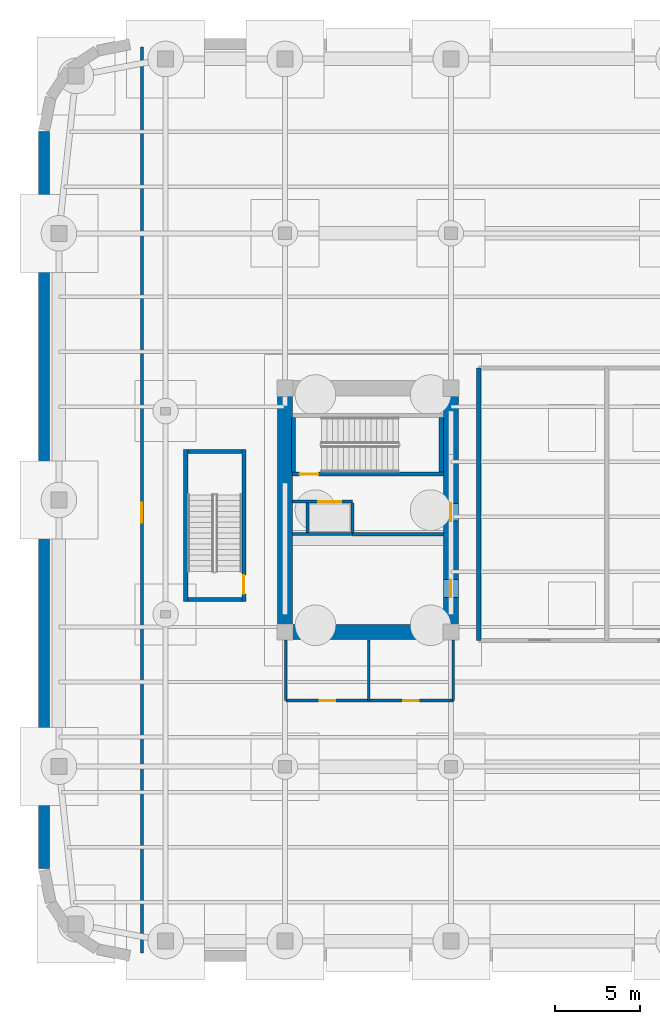
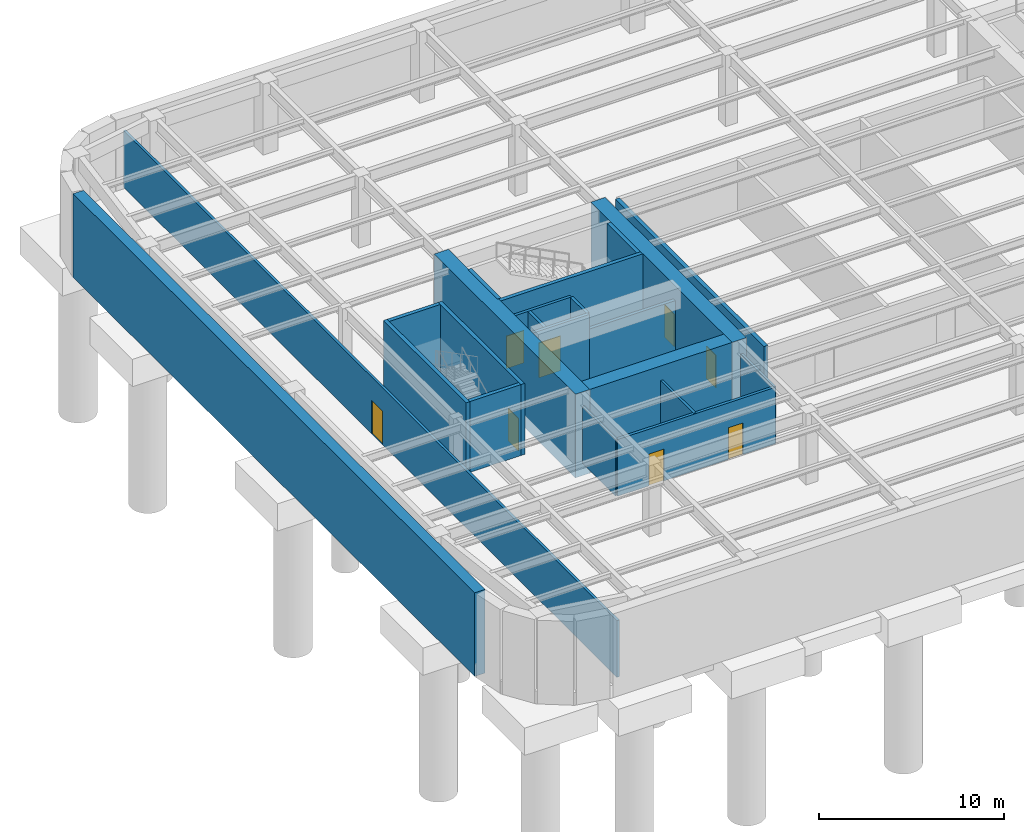
# One storey, part 5 of 14: 22 walls, 8 doors, 8 openings.
"""IFC4 building model written with IfcOpenShell, lengths in metres."""

from ifc_helpers import new_model, si_unit, direction, frame, frame_2d, origin, place, context, subcontext, project, spatial, rectangle, extrude, material, layer, layer_set, type_object, element, fill, save


model = new_model("IFC4")

# Units and contexts
model_context = context("Model", 3, precision=1e-05, world=origin(), true_north=direction((0.0, 1.0)))
body_context = subcontext(model_context, "Body", "Model", "MODEL_VIEW")
ifc_project = project(units=[si_unit("LENGTHUNIT", "METRE"), si_unit("AREAUNIT", "SQUARE_METRE"), si_unit("VOLUMEUNIT", "CUBIC_METRE"), si_unit("PLANEANGLEUNIT", "RADIAN"), si_unit("MASSUNIT", "GRAM", prefix="KILO")], contexts=[model_context])

# Site, building, storey
site_placement = place(None, origin())
site = spatial("IfcSite", under=ifc_project, at=site_placement, CompositionType="ELEMENT")
building_placement = place(site_placement, origin())
building = spatial("IfcBuilding", under=site, at=building_placement, Name="Kolvaren Arena Tower", CompositionType="ELEMENT")
storey_placement = place(building_placement, frame((0.0, 0.0, -10.0)))
storey = spatial("IfcBuildingStorey", under=building, at=storey_placement, Name="B02", CompositionType="ELEMENT", Elevation=-10.0)

# Wall, opening, door
ifc_material_1 = material(Name="Gypsum board acoustic assembly", Category="gypsum")
ifc_layer_1 = layer(ifc_material_1, 0.159912109375)
ifc_layer_set_1 = layer_set([ifc_layer_1], Name="Gypsum board acoustic assembly")
wall_type_1 = type_object("IfcWallType", Name="CORR-160", PredefinedType="PARTITIONING", material=ifc_layer_set_1)
wall_1_placement = place(storey_placement, frame((6.10009765625, 0.5, 0.0), z_axis=(0.0, 0.0, 1.0), x_axis=(0.0, 1.0, 0.0)))
wall_1 = element("IfcWall", 1, at=wall_1_placement, inside=storey, type_object=wall_type_1, Name="Interior Partition Wall (B02)", PredefinedType="PARTITIONING", context=body_context, shape_type="SweptSolid", body=[
    extrude(rectangle(XDim=53.5, YDim=0.159912109375, at=frame_2d((26.75, 0.0))), origin(), (0.0, 0.0, 1.0), 3.75),
])
opening_1_placement = place(wall_1_placement, frame((25.39990234375, 0.0, 0.0)))
opening_1 = element("IfcOpeningElement", 2, at=opening_1_placement, cuts=wall_1, Name="Opening D08", PredefinedType="OPENING", context=body_context, shape_type="SweptSolid", body=[
    extrude(rectangle(XDim=1.199951171875, YDim=2.199951171875, at=frame_2d((0.60009765625, 1.10009765625))), frame((0.0, 0.08984375, 0.0), z_axis=(0.0, -1.0, 0.0), x_axis=(1.0, 0.0, 0.0)), (0.0, 0.0, 1.0), 0.179931640625),
])
ifc_material_2 = material(Name="Fire-rated steel plant room door", Category="steel")
door_type_1 = type_object("IfcDoorType", Name="DOOR-PL-120", OperationType="NOTDEFINED", PredefinedType="DOOR", material=ifc_material_2)
door_1_placement = place(opening_1_placement, origin())
door_1 = element("IfcDoor", 3, at=door_1_placement, inside=storey, type_object=door_type_1, Name="Bicycle Storage Door (B02)", OperationType="SINGLE_SWING_RIGHT", OverallHeight=2.199951171875, OverallWidth=1.199951171875, PredefinedType="DOOR", context=body_context, shape_type="SweptSolid", body=[
    extrude(rectangle(XDim=1.199951171875, YDim=2.199951171875, at=frame_2d((0.60009765625, 1.10009765625))), frame((0.0, 0.02490234375, 0.0), z_axis=(0.0, -1.0, 0.0), x_axis=(1.0, 0.0, 0.0)), (0.0, 0.0, 1.0), 0.050048828125),
])
fill(opening_1, door_1)

# Wall
ifc_material_3 = material(Name="Concrete 80 MPa", Category="concrete")
ifc_layer_2 = layer(ifc_material_3, 0.89990234375)
ifc_layer_set_2 = layer_set([ifc_layer_2], Name="Concrete 80 MPa")
wall_type_2 = type_object("IfcWallType", Name="CWALL-900", PredefinedType="SHEAR", material=ifc_layer_set_2)
wall_2_placement = place(storey_placement, frame((14.550048828125, 19.0, -0.85009765625), z_axis=(0.0, 0.0, 1.0), x_axis=(0.0, 1.0, 0.0)))
element("IfcWall", 4, at=wall_2_placement, inside=storey, type_object=wall_type_2, Name="Core Shear Wall WC-WEST (B02)", PredefinedType="SHEAR", context=body_context, shape_type="SweptSolid", body=[
    extrude(rectangle(XDim=15.300048828125, YDim=0.89990234375, at=frame_2d((7.64990234375, 0.0))), origin(), (0.0, 0.0, 1.0), 5.5400390625),
])

# Wall, openings, doors
wall_3_placement = place(storey_placement, frame((24.35009765625, 19.0, -0.85009765625), z_axis=(0.0, 0.0, 1.0), x_axis=(0.0, 1.0, 0.0)))
wall_3 = element("IfcWall", 5, at=wall_3_placement, inside=storey, type_object=wall_type_2, Name="Core Shear Wall WC-EAST (B02)", PredefinedType="SHEAR", context=body_context, shape_type="SweptSolid", body=[
    extrude(rectangle(XDim=15.300048828125, YDim=0.89990234375, at=frame_2d((7.64990234375, 0.0))), origin(), (0.0, 0.0, 1.0), 5.5400390625),
])
opening_2_placement = place(wall_3_placement, frame((2.5, 0.0, 0.85009765625)))
opening_2 = element("IfcOpeningElement", 6, at=opening_2_placement, cuts=wall_3, Name="Opening D04", PredefinedType="OPENING", context=body_context, shape_type="SweptSolid", body=[
    extrude(rectangle(XDim=1.050048828125, YDim=2.14990234375, at=frame_2d((0.52490234375, 1.074951171875))), frame((0.0, 0.4599609375, 0.0), z_axis=(0.0, -1.0, 0.0), x_axis=(1.0, 0.0, 0.0)), (0.0, 0.0, 1.0), 0.919921875),
])
opening_3_placement = place(wall_3_placement, frame((7.0, 0.0, 0.85009765625)))
opening_3 = element("IfcOpeningElement", 7, at=opening_3_placement, cuts=wall_3, Name="Opening D04", PredefinedType="OPENING", context=body_context, shape_type="SweptSolid", body=[
    extrude(rectangle(XDim=1.050048828125, YDim=2.14990234375, at=frame_2d((0.52490234375, 1.074951171875))), frame((0.0, 0.4599609375, 0.0), z_axis=(0.0, -1.0, 0.0), x_axis=(1.0, 0.0, 0.0)), (0.0, 0.0, 1.0), 0.919921875),
])
ifc_material_4 = material(Name="Fire-rated steel lobby door", Category="steel")
door_type_2 = type_object("IfcDoorType", Name="DOOR-FF-105", OperationType="NOTDEFINED", PredefinedType="DOOR", material=ifc_material_4)
door_2_placement = place(opening_2_placement, origin())
door_2 = element("IfcDoor", 8, at=door_2_placement, inside=storey, type_object=door_type_2, Name="West Lift Lobby Fire Door (B02)", OperationType="SINGLE_SWING_LEFT", OverallHeight=2.14990234375, OverallWidth=1.050048828125, PredefinedType="DOOR", context=body_context, shape_type="SweptSolid", body=[
    extrude(rectangle(XDim=1.050048828125, YDim=2.14990234375, at=frame_2d((0.52490234375, 1.074951171875))), frame((0.0, 0.02490234375, 0.0), z_axis=(0.0, -1.0, 0.0), x_axis=(1.0, 0.0, 0.0)), (0.0, 0.0, 1.0), 0.050048828125),
])
fill(opening_2, door_2)
door_3_placement = place(opening_3_placement, origin())
door_3 = element("IfcDoor", 9, at=door_3_placement, inside=storey, type_object=door_type_2, Name="West Firefighter Vestibule Door (B02)", OperationType="SINGLE_SWING_RIGHT", OverallHeight=2.14990234375, OverallWidth=1.050048828125, PredefinedType="DOOR", context=body_context, shape_type="SweptSolid", body=[
    extrude(rectangle(XDim=1.050048828125, YDim=2.14990234375, at=frame_2d((0.52490234375, 1.074951171875))), frame((0.0, 0.02490234375, 0.0), z_axis=(0.0, -1.0, 0.0), x_axis=(1.0, 0.0, 0.0)), (0.0, 0.0, 1.0), 0.050048828125),
])
fill(opening_3, door_3)

# Walls
wall_4_placement = place(storey_placement, frame((15.0, 19.449951171875, -0.85009765625), z_axis=(0.0, 0.0, 1.0), x_axis=(1.0, 0.0, 0.0)))
element("IfcWall", 10, at=wall_4_placement, inside=storey, type_object=wall_type_2, Name="Core Shear Wall WC-SOUTH (B02)", PredefinedType="SHEAR", context=body_context, shape_type="SweptSolid", body=[
    extrude(rectangle(XDim=8.89990234375, YDim=0.89990234375, at=frame_2d((4.449951171875, 0.0))), origin(), (0.0, 0.0, 1.0), 5.5400390625),
])
ifc_material_5 = material(Name="Concrete 40 MPa", Category="concrete")
ifc_layer_3 = layer(ifc_material_5, 0.199951171875)
ifc_layer_set_3 = layer_set([ifc_layer_3], Name="Concrete 40 MPa")
wall_type_3 = type_object("IfcWallType", Name="LOBBY-200", PredefinedType="SOLIDWALL", material=ifc_layer_set_3)
wall_5_placement = place(storey_placement, frame((18.530029296875, 25.219970703125, 0.0), z_axis=(0.0, 0.0, 1.0), x_axis=(1.0, 0.0, 0.0)))
element("IfcWall", 11, at=wall_5_placement, inside=storey, type_object=wall_type_3, Name="Core Shaft Wall (B02)", PredefinedType="SOLIDWALL", context=body_context, shape_type="SweptSolid", body=[
    extrude(rectangle(XDim=5.369873046875, YDim=0.199951171875, at=frame_2d((2.68505859375, 0.0))), origin(), (0.0, 0.0, 1.0), 3.75),
])
ifc_material_6 = material(Name="Concrete 50 MPa", Category="concrete")
ifc_layer_4 = layer(ifc_material_6, 0.64990234375)
ifc_layer_set_4 = layer_set([ifc_layer_4], Name="Concrete 50 MPa")
wall_type_4 = type_object("IfcWallType", Name="RWALL-650", PredefinedType="USERDEFINED", material=ifc_layer_set_4)
wall_6_placement = place(storey_placement, frame((0.324951171875, 5.485107421875, -0.85009765625), z_axis=(0.0, 0.0, 1.0), x_axis=(0.0, 1.0, 0.0)))
element("IfcWall", 12, at=wall_6_placement, inside=storey, type_object=wall_type_4, Name="Basement Perimeter Retaining Wall (B02)", ObjectType="RETAININGWALL", PredefinedType="USERDEFINED", context=body_context, shape_type="SweptSolid", body=[
    extrude(rectangle(XDim=43.52978515625, YDim=0.64990234375, at=frame_2d((21.764892578125, 0.0))), origin(), (0.0, 0.0, 1.0), 5.5400390625),
])

# Wall, opening, door
ifc_material_7 = material(Name="Concrete 45 MPa", Category="concrete")
ifc_layer_5 = layer(ifc_material_7, 0.25)
ifc_layer_set_5 = layer_set([ifc_layer_5], Name="Concrete 45 MPa")
wall_type_5 = type_object("IfcWallType", Name="SHAFT-250", PredefinedType="SOLIDWALL", material=ifc_layer_set_5)
wall_7_placement = place(storey_placement, frame((12.1201171875, 30.239990234375, 0.0), z_axis=(0.0, 0.0, 1.0), x_axis=(0.0, -1.0, 0.0)))
wall_7 = element("IfcWall", 13, at=wall_7_placement, inside=storey, type_object=wall_type_5, Name="Stair ST-B1 Rated Enclosure Wall (B02)", PredefinedType="SOLIDWALL", context=body_context, shape_type="SweptSolid", body=[
    extrude(rectangle(XDim=8.97998046875, YDim=0.239990234375, at=frame_2d((4.489990234375, 0.0))), origin(), (0.0, 0.0, 1.0), 4.68994140625),
])
opening_4_placement = place(wall_7_placement, frame((7.429931640625, 0.0, 0.0)))
opening_4 = element("IfcOpeningElement", 14, at=opening_4_placement, cuts=wall_7, Name="Opening D03", PredefinedType="OPENING", context=body_context, shape_type="SweptSolid", body=[
    extrude(rectangle(XDim=1.10009765625, YDim=2.14990234375, at=frame_2d((0.550048828125, 1.074951171875))), frame((0.0, 0.1298828125, 0.0), z_axis=(0.0, -1.0, 0.0), x_axis=(1.0, 0.0, 0.0)), (0.0, 0.0, 1.0), 0.260009765625),
])
ifc_material_8 = material(Name="Fire-rated steel exit stair door", Category="steel")
door_type_3 = type_object("IfcDoorType", Name="DOOR-ST-110", OperationType="NOTDEFINED", PredefinedType="DOOR", material=ifc_material_8)
door_4_placement = place(opening_4_placement, origin())
door_4 = element("IfcDoor", 15, at=door_4_placement, inside=storey, type_object=door_type_3, Name="Exit Stair ST-B1 Fire Door (B02)", OperationType="SINGLE_SWING_LEFT", OverallHeight=2.14990234375, OverallWidth=1.10009765625, PredefinedType="DOOR", context=body_context, shape_type="SweptSolid", body=[
    extrude(rectangle(XDim=1.10009765625, YDim=2.14990234375, at=frame_2d((0.550048828125, 1.074951171875))), frame((0.0, 0.02490234375, 0.0), z_axis=(0.0, -1.0, 0.0), x_axis=(1.0, 0.0, 0.0)), (0.0, 0.0, 1.0), 0.050048828125),
])
fill(opening_4, door_4)

# Walls
wall_8_placement = place(storey_placement, frame((8.68994140625, 21.260009765625, 0.0), z_axis=(0.0, 0.0, 1.0), x_axis=(0.0, 1.0, 0.0)))
element("IfcWall", 16, at=wall_8_placement, inside=storey, type_object=wall_type_5, Name="Stair ST-B1 Rear Shaft Wall (B02)", PredefinedType="SOLIDWALL", context=body_context, shape_type="SweptSolid", body=[
    extrude(rectangle(XDim=8.97998046875, YDim=0.239990234375, at=frame_2d((4.489990234375, 0.0))), origin(), (0.0, 0.0, 1.0), 4.68994140625),
])
for number, where, z_axis, x_axis, name in (
    (17, (8.81005859375, 21.3798828125, 0.0), (0.0, 0.0, 1.0), (1.0, 0.0, 0.0), "Stair ST-B1 South Shaft Wall (B02)"),
    (18, (8.81005859375, 30.1201171875, 0.0), (0.0, 0.0, 1.0), (1.0, 0.0, 0.0), "Stair ST-B1 North Shaft Wall (B02)"),
):
    element("IfcWall", number, at=place(storey_placement, frame(where, z_axis=z_axis, x_axis=x_axis)), inside=storey, type_object=wall_type_5, Name=name, PredefinedType="SOLIDWALL", context=body_context, shape_type="SweptSolid", body=[
        extrude(rectangle(XDim=3.18994140625, YDim=0.239990234375, at=frame_2d((1.594970703125, 0.0))), origin(), (0.0, 0.0, 1.0), 4.68994140625),
    ])

# Wall, opening, door
wall_9_placement = place(storey_placement, frame((23.89990234375, 28.780029296875, 0.0), z_axis=(0.0, 0.0, 1.0), x_axis=(-1.0, 0.0, 0.0)))
wall_9 = element("IfcWall", 19, at=wall_9_placement, inside=storey, type_object=wall_type_5, Name="Core Shaft Wall (B02)", PredefinedType="SOLIDWALL", context=body_context, shape_type="SweptSolid", body=[
    extrude(rectangle(XDim=8.89990234375, YDim=0.239990234375, at=frame_2d((4.449951171875, 0.0))), origin(), (0.0, 0.0, 1.0), 4.68994140625),
])
opening_5_placement = place(wall_9_placement, frame((7.3798828125, 0.0, 0.0)))
opening_5 = element("IfcOpeningElement", 20, at=opening_5_placement, cuts=wall_9, Name="Opening D03", PredefinedType="OPENING", context=body_context, shape_type="SweptSolid", body=[
    extrude(rectangle(XDim=1.10009765625, YDim=2.14990234375, at=frame_2d((0.550048828125, 1.074951171875))), frame((0.0, 0.1298828125, 0.0), z_axis=(0.0, -1.0, 0.0), x_axis=(1.0, 0.0, 0.0)), (0.0, 0.0, 1.0), 0.260009765625),
])
door_5_placement = place(opening_5_placement, origin())
door_5 = element("IfcDoor", 21, at=door_5_placement, inside=storey, type_object=door_type_3, Name="Stair ST-W1 Fire Door (B02)", OperationType="SINGLE_SWING_RIGHT", OverallHeight=2.14990234375, OverallWidth=1.10009765625, PredefinedType="DOOR", context=body_context, shape_type="SweptSolid", body=[
    extrude(rectangle(XDim=1.10009765625, YDim=2.14990234375, at=frame_2d((0.550048828125, 1.074951171875))), frame((0.0, 0.02490234375, 0.0), z_axis=(0.0, -1.0, 0.0), x_axis=(1.0, 0.0, 0.0)), (0.0, 0.0, 1.0), 0.050048828125),
])
fill(opening_5, door_5)

# Walls
for number, where, z_axis, x_axis, name in (
    (22, (15.06005859375, 28.89990234375, 0.0), (0.0, 0.0, 1.0), (0.0, 1.0, 0.0), "Core Shaft Wall (B02)"),
    (23, (23.780029296875, 28.89990234375, 0.0), (0.0, 0.0, 1.0), (0.0, 1.0, 0.0), "Core Shaft Wall (B02)"),
):
    element("IfcWall", number, at=place(storey_placement, frame(where, z_axis=z_axis, x_axis=x_axis)), inside=storey, type_object=wall_type_5, Name=name, PredefinedType="SOLIDWALL", context=body_context, shape_type="SweptSolid", body=[
        extrude(rectangle(XDim=3.22998046875, YDim=0.239990234375, at=frame_2d((1.614990234375, 0.0))), origin(), (0.0, 0.0, 1.0), 4.68994140625),
    ])

# Wall, opening, door
wall_10_placement = place(storey_placement, frame((15.0, 27.155029296875, 0.0), z_axis=(0.0, 0.0, 1.0), x_axis=(1.0, 0.0, 0.0)))
wall_10 = element("IfcWall", 24, at=wall_10_placement, inside=storey, type_object=wall_type_5, Name="Core Shaft Wall (B02)", PredefinedType="SOLIDWALL", context=body_context, shape_type="SweptSolid", body=[
    extrude(rectangle(XDim=3.530029296875, YDim=0.179931640625, at=frame_2d((1.76513671875, 0.0))), origin(), (0.0, 0.0, 1.0), 4.68994140625),
])
opening_6_placement = place(wall_10_placement, frame((1.52490234375, 0.0, 0.0)))
opening_6 = element("IfcOpeningElement", 25, at=opening_6_placement, cuts=wall_10, Name="Opening LD2", PredefinedType="OPENING", context=body_context, shape_type="SweptSolid", body=[
    extrude(rectangle(XDim=1.35009765625, YDim=2.300048828125, at=frame_2d((0.675048828125, 1.14990234375))), frame((0.0, 0.099853515625, 0.0), z_axis=(0.0, -1.0, 0.0), x_axis=(1.0, 0.0, 0.0)), (0.0, 0.0, 1.0), 0.199951171875),
])
ifc_material_9 = material(Name="Stainless steel firefighter lift landing door", Category="steel")
door_type_4 = type_object("IfcDoorType", Name="DOOR-LD-135", OperationType="DOUBLE_DOOR_SLIDING", PredefinedType="DOOR", material=ifc_material_9)
door_6_placement = place(opening_6_placement, origin())
door_6 = element("IfcDoor", 26, at=door_6_placement, inside=storey, type_object=door_type_4, Name="Firefighter Lift FF-W1 Landing Door (B02)", OperationType="DOUBLE_DOOR_SLIDING", OverallHeight=2.300048828125, OverallWidth=1.35009765625, PredefinedType="DOOR", context=body_context, shape_type="SweptSolid", body=[
    extrude(rectangle(XDim=1.35009765625, YDim=2.300048828125, at=frame_2d((0.675048828125, 1.14990234375))), frame((0.0, 0.02490234375, 0.0), z_axis=(0.0, -1.0, 0.0), x_axis=(1.0, 0.0, 0.0)), (0.0, 0.0, 1.0), 0.050048828125),
])
fill(opening_6, door_6)

# Walls
wall_11_placement = place(storey_placement, frame((15.0, 25.2451171875, 0.0), z_axis=(0.0, 0.0, 1.0), x_axis=(1.0, 0.0, 0.0)))
element("IfcWall", 27, at=wall_11_placement, inside=storey, type_object=wall_type_5, Name="Core Shaft Wall (B02)", PredefinedType="SOLIDWALL", context=body_context, shape_type="SweptSolid", body=[
    extrude(rectangle(XDim=3.530029296875, YDim=0.179931640625, at=frame_2d((1.76513671875, 0.0))), origin(), (0.0, 0.0, 1.0), 4.68994140625),
])
for number, where, z_axis, x_axis, name in (
    (28, (15.8701171875, 25.3349609375, 0.0), (0.0, 0.0, 1.0), (0.0, 1.0, 0.0), "Core Shaft Wall (B02)"),
    (29, (18.530029296875, 25.3349609375, 0.0), (0.0, 0.0, 1.0), (0.0, 1.0, 0.0), "Core Shaft Wall (B02)"),
):
    element("IfcWall", number, at=place(storey_placement, frame(where, z_axis=z_axis, x_axis=x_axis)), inside=storey, type_object=wall_type_5, Name=name, PredefinedType="SOLIDWALL", context=body_context, shape_type="SweptSolid", body=[
        extrude(rectangle(XDim=1.72998046875, YDim=0.179931640625, at=frame_2d((0.864990234375, 0.0))), origin(), (0.0, 0.0, 1.0), 4.68994140625),
    ])
wall_12_placement = place(storey_placement, frame((26.0, 18.949951171875, 0.0), z_axis=(0.0, 0.0, 1.0), x_axis=(0.0, 1.0, 0.0)))
element("IfcWall", 30, at=wall_12_placement, inside=storey, type_object=wall_type_5, Name="Interior Partition Wall (B02)", PredefinedType="SOLIDWALL", context=body_context, shape_type="SweptSolid", body=[
    extrude(rectangle(XDim=16.10009765625, YDim=0.25, at=frame_2d((8.050048828125, 0.0))), origin(), (0.0, 0.0, 1.0), 3.75),
])
ifc_material_10 = material(Name="Moisture-resistant gypsum assembly", Category="gypsum")
ifc_layer_6 = layer(ifc_material_10, 0.14990234375)
ifc_layer_set_6 = layer_set([ifc_layer_6], Name="Moisture-resistant gypsum assembly")
wall_type_6 = type_object("IfcWallType", Name="WETW-150", PredefinedType="PARTITIONING", material=ifc_layer_set_6)
wall_13_placement = place(storey_placement, frame((19.5, 15.39990234375, 0.0), z_axis=(0.0, 0.0, 1.0), x_axis=(0.0, 1.0, 0.0)))
element("IfcWall", 31, at=wall_13_placement, inside=storey, type_object=wall_type_6, Name="Interior Partition Wall (B02)", PredefinedType="PARTITIONING", context=body_context, shape_type="SweptSolid", body=[
    extrude(rectangle(XDim=3.580078125, YDim=0.14990234375, at=frame_2d((1.7900390625, 0.0))), origin(), (0.0, 0.0, 1.0), 3.75),
])

# Wall, openings, doors
wall_14_placement = place(storey_placement, frame((14.60009765625, 15.39990234375, 0.0), z_axis=(0.0, 0.0, 1.0), x_axis=(1.0, 0.0, 0.0)))
wall_14 = element("IfcWall", 32, at=wall_14_placement, inside=storey, type_object=wall_type_6, Name="Interior Partition Wall (B02)", PredefinedType="PARTITIONING", context=body_context, shape_type="SweptSolid", body=[
    extrude(rectangle(XDim=9.89990234375, YDim=0.179931640625, at=frame_2d((4.949951171875, 0.0))), origin(), (0.0, 0.0, 1.0), 3.75),
])
opening_7_placement = place(wall_14_placement, frame((1.989990234375, 0.0, 0.0)))
opening_7 = element("IfcOpeningElement", 33, at=opening_7_placement, cuts=wall_14, Name="Opening D07", PredefinedType="OPENING", context=body_context, shape_type="SweptSolid", body=[
    extrude(rectangle(XDim=0.919921875, YDim=2.10009765625, at=frame_2d((0.4599609375, 1.050048828125))), frame((0.0, 0.099853515625, 0.0), z_axis=(0.0, -1.0, 0.0), x_axis=(1.0, 0.0, 0.0)), (0.0, 0.0, 1.0), 0.199951171875),
])
opening_8_placement = place(wall_14_placement, frame((6.93994140625, 0.0, 0.0)))
opening_8 = element("IfcOpeningElement", 34, at=opening_8_placement, cuts=wall_14, Name="Opening D07", PredefinedType="OPENING", context=body_context, shape_type="SweptSolid", body=[
    extrude(rectangle(XDim=0.919921875, YDim=2.10009765625, at=frame_2d((0.4599609375, 1.050048828125))), frame((0.0, 0.099853515625, 0.0), z_axis=(0.0, -1.0, 0.0), x_axis=(1.0, 0.0, 0.0)), (0.0, 0.0, 1.0), 0.199951171875),
])
ifc_material_11 = material(Name="Laminate universal washroom door", Category="wood")
door_type_5 = type_object("IfcDoorType", Name="DOOR-WC-092", OperationType="NOTDEFINED", PredefinedType="DOOR", material=ifc_material_11)
door_7_placement = place(opening_7_placement, origin())
door_7 = element("IfcDoor", 35, at=door_7_placement, inside=storey, type_object=door_type_5, Name="Universal Barrier-Free Washroom Door (B02)", OperationType="SINGLE_SWING_RIGHT", OverallHeight=2.10009765625, OverallWidth=0.919921875, PredefinedType="DOOR", context=body_context, shape_type="SweptSolid", body=[
    extrude(rectangle(XDim=0.919921875, YDim=2.10009765625, at=frame_2d((0.4599609375, 1.050048828125))), frame((0.0, 0.02490234375, 0.0), z_axis=(0.0, -1.0, 0.0), x_axis=(1.0, 0.0, 0.0)), (0.0, 0.0, 1.0), 0.050048828125),
])
fill(opening_7, door_7)
door_8_placement = place(opening_8_placement, origin())
door_8 = element("IfcDoor", 36, at=door_8_placement, inside=storey, type_object=door_type_5, Name="Gender-Neutral Washroom Door (B02)", OperationType="SINGLE_SWING_LEFT", OverallHeight=2.10009765625, OverallWidth=0.919921875, PredefinedType="DOOR", context=body_context, shape_type="SweptSolid", body=[
    extrude(rectangle(XDim=0.919921875, YDim=2.10009765625, at=frame_2d((0.4599609375, 1.050048828125))), frame((0.0, 0.02490234375, 0.0), z_axis=(0.0, -1.0, 0.0), x_axis=(1.0, 0.0, 0.0)), (0.0, 0.0, 1.0), 0.050048828125),
])
fill(opening_8, door_8)

# Walls
for number, where, z_axis, x_axis, name in (
    (37, (14.60009765625, 15.39990234375, 0.0), (0.0, 0.0, 1.0), (0.0, 1.0, 0.0), "Interior Partition Wall (B02)"),
    (38, (24.5, 15.39990234375, 0.0), (0.0, 0.0, 1.0), (0.0, 1.0, 0.0), "Interior Partition Wall (B02)"),
):
    element("IfcWall", number, at=place(storey_placement, frame(where, z_axis=z_axis, x_axis=x_axis)), inside=storey, type_object=wall_type_6, Name=name, PredefinedType="PARTITIONING", context=body_context, shape_type="SweptSolid", body=[
        extrude(rectangle(XDim=3.580078125, YDim=0.14990234375, at=frame_2d((1.7900390625, 0.0))), origin(), (0.0, 0.0, 1.0), 3.75),
    ])

save(model, "model.ifc")
